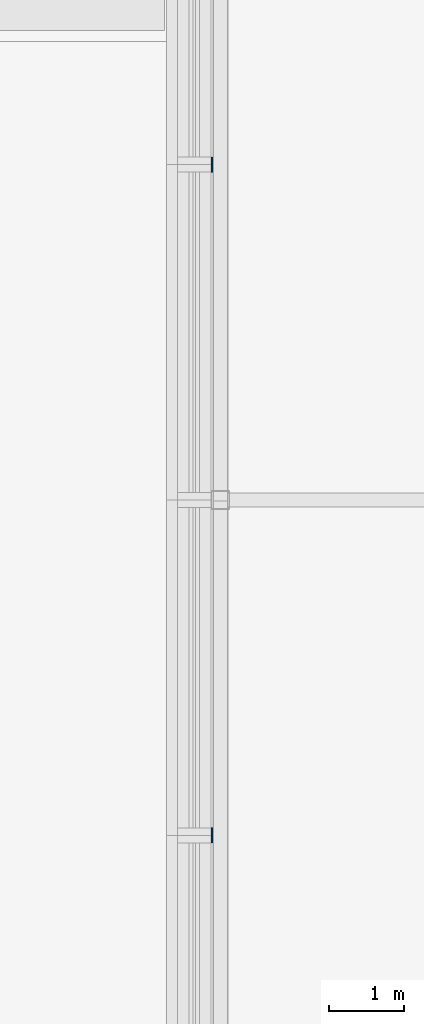
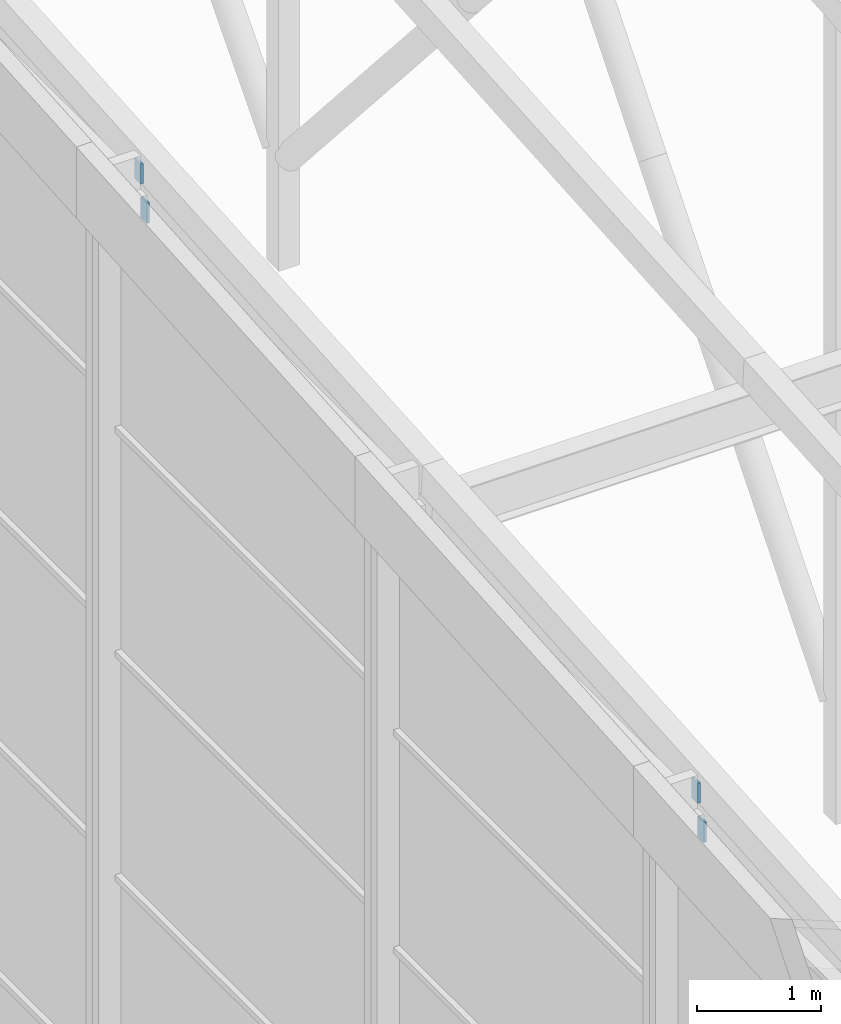
# One storey, part 64 of 84: 4 discrete accessories.
"""IFC4 building model written with IfcOpenShell, lengths in metres."""

from ifc_helpers import new_model, si_unit, direction, frame, origin, origin_2d, place, context, subcontext, project, spatial, rectangle, extrude, material, type_object, element, save


model = new_model("IFC4")

# Units and contexts
model_context = context("Model", 3, precision=1e-05, world=origin(), true_north=direction((0.0, 1.0)))
body_context = subcontext(model_context, "Body", "Model", "MODEL_VIEW")
ifc_project = project(units=[si_unit("LENGTHUNIT", "METRE"), si_unit("AREAUNIT", "SQUARE_METRE"), si_unit("VOLUMEUNIT", "CUBIC_METRE"), si_unit("PLANEANGLEUNIT", "RADIAN"), si_unit("MASSUNIT", "GRAM", prefix="KILO")], contexts=[model_context])

# Site, building, storey
site_placement = place(None, origin())
site = spatial("IfcSite", under=ifc_project, at=site_placement, CompositionType="ELEMENT")
building_placement = place(site_placement, origin())
building = spatial("IfcBuilding", under=site, at=building_placement, Name="Silverbay Arena", CompositionType="ELEMENT")
storey_placement = place(building_placement, frame((0.0, 0.0, 47.10009765625)))
storey = spatial("IfcBuildingStorey", under=building, at=storey_placement, Name="ROOF", CompositionType="ELEMENT", Elevation=47.10009765625)

# Discrete accessories
ifc_material = material(Name="Steel S355", Category="steel")
discrete_accessory_type = type_object("IfcDiscreteAccessoryType", Name="Steel bracket plate", PredefinedType="BRACKET", material=ifc_material)
for number, where, z_axis, x_axis, name in (
    (1, (80.887451171875, 58.449951171875, 10.56982421875), (0.0, 0.0, 1.0), (1.0, 0.0, 0.0), "Curtain wall packing plate"),
    (2, (80.887451171875, 58.550048828125, 10.89501953125), (0.0, 0.0, 1.0), (1.0, 0.0, 0.0), "Curtain wall packing plate"),
    (3, (80.887451171875, 67.449951171875, 11.2197265625), (0.0, 0.0, 1.0), (1.0, 0.0, 0.0), "Curtain wall packing plate"),
    (4, (80.887451171875, 67.550048828125, 11.544921875), (0.0, 0.0, 1.0), (1.0, 0.0, 0.0), "Curtain wall packing plate"),
):
    element("IfcDiscreteAccessory", number, at=place(storey_placement, frame(where, z_axis=z_axis, x_axis=x_axis)), inside=storey, type_object=discrete_accessory_type, Name=name, PredefinedType="BRACKET", context=body_context, shape_type="SweptSolid", body=[
        extrude(rectangle(XDim=0.02490234375, YDim=0.10009765625, at=origin_2d()), origin(), (0.0, 0.0, 1.0), 0.199951171875),
    ])

save(model, "model.ifc")
